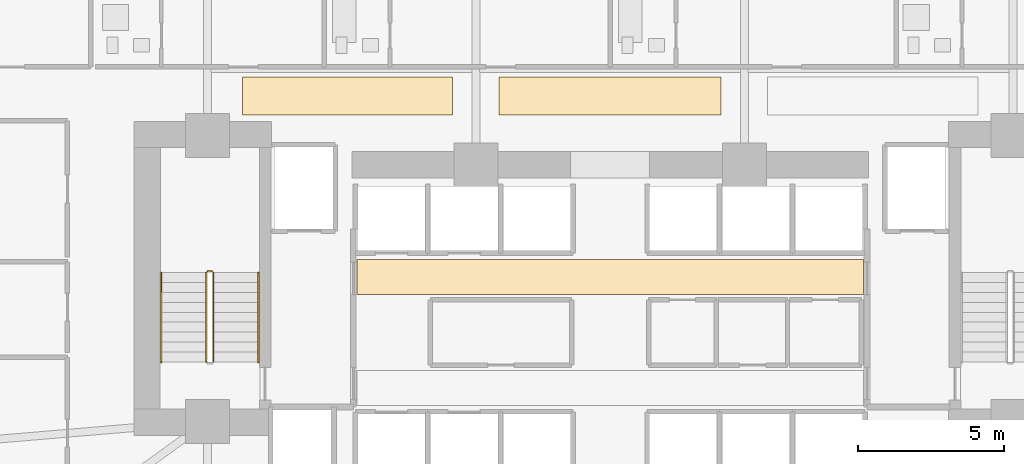
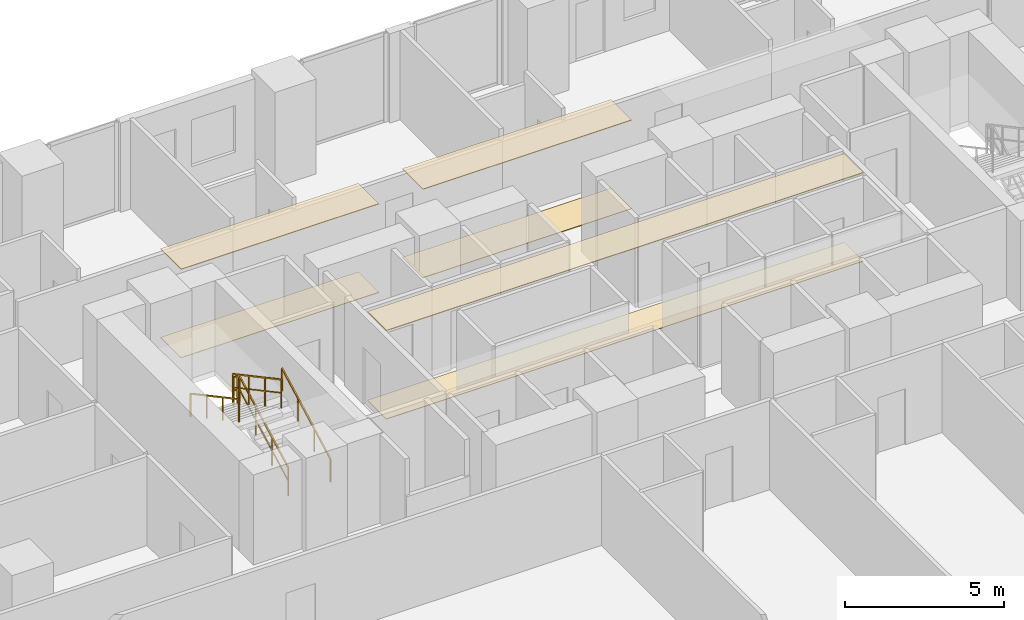
# One storey, part 27 of 30: 6 coverings, 5 railings.
"""IFC4 building model written with IfcOpenShell, lengths in metres."""

from ifc_helpers import new_model, si_unit, direction, frame, origin, origin_2d, place, context, subcontext, project, spatial, polyline, rectangle, outline, extrude, material, layer, layer_set, type_object, element, save


model = new_model("IFC4")

# Units and contexts
model_context = context("Model", 3, precision=1e-05, world=origin(), true_north=direction((0.0, 1.0)))
body_context = subcontext(model_context, "Body", "Model", "MODEL_VIEW")
ifc_project = project(units=[si_unit("LENGTHUNIT", "METRE"), si_unit("AREAUNIT", "SQUARE_METRE"), si_unit("VOLUMEUNIT", "CUBIC_METRE"), si_unit("PLANEANGLEUNIT", "RADIAN"), si_unit("MASSUNIT", "GRAM", prefix="KILO")], contexts=[model_context])

# Site, building, storey
site_placement = place(None, origin())
site = spatial("IfcSite", under=ifc_project, at=site_placement, CompositionType="ELEMENT")
building_placement = place(site_placement, origin())
building = spatial("IfcBuilding", under=site, at=building_placement, Name="Zuhayl Quay Hotel", CompositionType="ELEMENT")
storey_placement = place(building_placement, frame((0.0, 0.0, 82.35009765625)))
storey = spatial("IfcBuildingStorey", under=building, at=storey_placement, Name="L20", CompositionType="ELEMENT", Elevation=82.35009765625)

# Coverings
ifc_material_1 = material(Name="Acoustic Mineral-Fibre Gypsum Board")
ifc_layer_1 = layer(ifc_material_1, 0.02490234375, Name="Acoustic Mineral-Fibre Gypsum Board")
ifc_layer_set_1 = layer_set([ifc_layer_1], Name="Acoustic Mineral-Fibre Gypsum Board")
covering_type_1 = type_object("IfcCoveringType", Name="CV_CEIL_ACOUSTIC", PredefinedType="CEILING", material=ifc_layer_set_1)
covering_1_placement = place(storey_placement, frame((0.0, 0.0, 3.40478515625)))
element("IfcCovering", 1, at=covering_1_placement, inside=storey, type_object=covering_type_1, Name="L20 Suspended Acoustic Lobby Ceiling N", PredefinedType="CEILING", context=body_context, shape_type="SweptSolid", body=[
    extrude(outline(polyline([(-8.679931640625, 8.89990234375), (8.679931640625, 8.89990234375), (8.679931640625, 10.10009765625), (-8.679931640625, 10.10009765625), (-8.679931640625, 8.89990234375)])), origin(), (0.0, 0.0, 1.0), 0.025146484375),
])
covering_2_placement = place(storey_placement, frame((0.0, 0.0, 3.40478515625)))
element("IfcCovering", 2, at=covering_2_placement, inside=storey, type_object=covering_type_1, Name="L20 Guest Corridor Acoustic Ceiling CW", PredefinedType="CEILING", context=body_context, shape_type="SweptSolid", body=[
    extrude(outline(polyline([(-12.60009765625, 15.050048828125), (-5.39990234375, 15.050048828125), (-5.39990234375, 16.35009765625), (-12.60009765625, 16.35009765625), (-12.60009765625, 15.050048828125)])), origin(), (0.0, 0.0, 1.0), 0.025146484375),
])
covering_3_placement = place(storey_placement, frame((0.0, 0.0, 3.40478515625)))
element("IfcCovering", 3, at=covering_3_placement, inside=storey, type_object=covering_type_1, Name="L20 Guest Corridor Acoustic Ceiling CC", PredefinedType="CEILING", context=body_context, shape_type="SweptSolid", body=[
    extrude(outline(polyline([(-3.800048828125, 15.050048828125), (3.800048828125, 15.050048828125), (3.800048828125, 16.35009765625), (-3.800048828125, 16.35009765625), (-3.800048828125, 15.050048828125)])), origin(), (0.0, 0.0, 1.0), 0.025146484375),
])
ifc_material_2 = material(Name="Polished Limestone Terrazzo", Category="masonry")
ifc_layer_2 = layer(ifc_material_2, 0.02001953125, Name="Polished Limestone Terrazzo", Category="masonry")
ifc_layer_set_2 = layer_set([ifc_layer_2], Name="Polished Limestone Terrazzo")
covering_type_2 = type_object("IfcCoveringType", Name="CV_FLOOR_TERRAZZO", PredefinedType="FLOORING", material=ifc_layer_set_2)
covering_4_placement = place(storey_placement, origin())
element("IfcCovering", 4, at=covering_4_placement, inside=storey, type_object=covering_type_2, Name="L20 Honed Limestone Terrazzo Lobby Flooring N", PredefinedType="FLOORING", context=body_context, shape_type="SweptSolid", body=[
    extrude(outline(polyline([(-8.679931640625, 8.89990234375), (8.679931640625, 8.89990234375), (8.679931640625, 10.10009765625), (-8.679931640625, 10.10009765625), (-8.679931640625, 8.89990234375)])), origin(), (0.0, 0.0, 1.0), 0.02001953125),
])
covering_5_placement = place(storey_placement, origin())
element("IfcCovering", 5, at=covering_5_placement, inside=storey, type_object=covering_type_2, Name="L20 Guest Corridor Terrazzo Runner CW", PredefinedType="FLOORING", context=body_context, shape_type="SweptSolid", body=[
    extrude(outline(polyline([(-12.60009765625, 15.050048828125), (-5.39990234375, 15.050048828125), (-5.39990234375, 16.35009765625), (-12.60009765625, 16.35009765625), (-12.60009765625, 15.050048828125)])), origin(), (0.0, 0.0, 1.0), 0.02001953125),
])
covering_6_placement = place(storey_placement, origin())
element("IfcCovering", 6, at=covering_6_placement, inside=storey, type_object=covering_type_2, Name="L20 Guest Corridor Terrazzo Runner CC", PredefinedType="FLOORING", context=body_context, shape_type="SweptSolid", body=[
    extrude(outline(polyline([(-3.800048828125, 15.050048828125), (3.800048828125, 15.050048828125), (3.800048828125, 16.35009765625), (-3.800048828125, 16.35009765625), (-3.800048828125, 15.050048828125)])), origin(), (0.0, 0.0, 1.0), 0.02001953125),
])

# Railings
ifc_material_3 = material(Name="Steel ASTM A992 Grade 50", Category="steel")
railing_type_1 = type_object("IfcRailingType", Name="RL_GUARD_1100", PredefinedType="GUARDRAIL", material=ifc_material_3)
railing_1_placement = place(storey_placement, frame((-13.590087890625, 6.590087890625, 0.182373046875)))
element("IfcRailing", 7, at=railing_1_placement, inside=storey, type_object=railing_type_1, Name="L20 ST1 stair guard 1", PredefinedType="GUARDRAIL", context=body_context, shape_type="SweptSolid", body=[
    extrude(rectangle(XDim=0.048095703125, YDim=0.048095703125, at=origin_2d()), frame((0.0, 0.0, 1.09619140625), z_axis=(0.0, 0.88107310026, 0.472980117973), x_axis=(-1.0, 0.0, 0.0)), (0.0, 0.0, 1.0), 3.472900390625),
    extrude(rectangle(XDim=0.0361328125, YDim=0.0361328125, at=origin_2d()), frame((0.0, 0.0, 0.58251953125), z_axis=(0.0, 0.88107310026, 0.472980117973), x_axis=(-1.0, 0.0, 0.0)), (0.0, 0.0, 1.0), 3.472900390625),
    extrude(rectangle(XDim=0.0419921875, YDim=0.0419921875, at=origin_2d()), origin(), (0.0, 0.0, 1.0), 1.072021484375),
    extrude(rectangle(XDim=0.0419921875, YDim=0.0419921875, at=origin_2d()), frame((0.0, 1.02001953125, 0.547607421875)), (0.0, 0.0, 1.0), 1.072021484375),
    extrude(rectangle(XDim=0.0419921875, YDim=0.0419921875, at=origin_2d()), frame((0.0, 2.039794921875, 1.094970703125)), (0.0, 0.0, 1.0), 1.072021484375),
    extrude(rectangle(XDim=0.0419921875, YDim=0.0419921875, at=origin_2d()), frame((0.0, 3.059814453125, 1.642578125)), (0.0, 0.0, 1.0), 1.072021484375),
])
railing_2_placement = place(storey_placement, frame((-13.639892578125, 9.699951171875, 1.824951171875)))
element("IfcRailing", 8, at=railing_2_placement, inside=storey, type_object=railing_type_1, Name="L20 ST1 stair guard 2", PredefinedType="GUARDRAIL", context=body_context, shape_type="SweptSolid", body=[
    extrude(rectangle(XDim=0.048095703125, YDim=0.048095703125, at=origin_2d()), frame((0.0, 0.0, 1.09619140625), z_axis=(-1.0, 0.0, 0.0), x_axis=(0.0, -1.0, 0.0)), (0.0, 0.0, 1.0), 0.150146484375),
    extrude(rectangle(XDim=0.0361328125, YDim=0.0361328125, at=origin_2d()), frame((0.0, 0.0, 0.58251953125), z_axis=(-1.0, 0.0, 0.0), x_axis=(0.0, -1.0, 0.0)), (0.0, 0.0, 1.0), 0.150146484375),
    extrude(rectangle(XDim=0.0419921875, YDim=0.0419921875, at=origin_2d()), origin(), (0.0, 0.0, 1.0), 1.072021484375),
    extrude(rectangle(XDim=0.0419921875, YDim=0.0419921875, at=origin_2d()), frame((-0.150146484375, 0.0, 0.0)), (0.0, 0.0, 1.0), 1.072021484375),
])
railing_3_placement = place(storey_placement, frame((-13.840087890625, 9.64990234375, 2.00732421875)))
element("IfcRailing", 9, at=railing_3_placement, inside=storey, type_object=railing_type_1, Name="L20 ST1 stair guard 3", PredefinedType="GUARDRAIL", context=body_context, shape_type="SweptSolid", body=[
    extrude(rectangle(XDim=0.048095703125, YDim=0.048095703125, at=origin_2d()), frame((0.0, 0.0, 1.09619140625), z_axis=(0.0, -0.88107310026, 0.472980117973), x_axis=(1.0, 0.0, 0.0)), (0.0, 0.0, 1.0), 3.472900390625),
    extrude(rectangle(XDim=0.0361328125, YDim=0.0361328125, at=origin_2d()), frame((0.0, 0.0, 0.58251953125), z_axis=(0.0, -0.88107310026, 0.472980117973), x_axis=(1.0, 0.0, 0.0)), (0.0, 0.0, 1.0), 3.472900390625),
    extrude(rectangle(XDim=0.0419921875, YDim=0.0419921875, at=origin_2d()), origin(), (0.0, 0.0, 1.0), 1.072021484375),
    extrude(rectangle(XDim=0.0419921875, YDim=0.0419921875, at=origin_2d()), frame((0.0, -1.02001953125, 0.547607421875)), (0.0, 0.0, 1.0), 1.072021484375),
    extrude(rectangle(XDim=0.0419921875, YDim=0.0419921875, at=origin_2d()), frame((0.0, -2.039794921875, 1.094970703125)), (0.0, 0.0, 1.0), 1.072021484375),
    extrude(rectangle(XDim=0.0419921875, YDim=0.0419921875, at=origin_2d()), frame((0.0, -3.059814453125, 1.642578125)), (0.0, 0.0, 1.0), 1.072021484375),
])
railing_type_2 = type_object("IfcRailingType", Name="RL_HANDRAIL_920", PredefinedType="HANDRAIL", material=ifc_material_3)
railing_4_placement = place(storey_placement, frame((-12.050048828125, 6.590087890625, 0.182373046875)))
element("IfcRailing", 10, at=railing_4_placement, inside=storey, type_object=railing_type_2, Name="L20 ST1 stair handrail 1", PredefinedType="HANDRAIL", context=body_context, shape_type="SweptSolid", body=[
    extrude(rectangle(XDim=0.048095703125, YDim=0.048095703125, at=origin_2d()), frame((0.0, 0.0, 0.8759765625), z_axis=(0.0, 0.88107310026, 0.472980117973), x_axis=(-1.0, 0.0, 0.0)), (0.0, 0.0, 1.0), 3.472900390625),
    extrude(rectangle(XDim=0.0419921875, YDim=0.0419921875, at=origin_2d()), origin(), (0.0, 0.0, 1.0), 0.851806640625),
    extrude(rectangle(XDim=0.0419921875, YDim=0.0419921875, at=origin_2d()), frame((0.0, 1.02001953125, 0.547607421875)), (0.0, 0.0, 1.0), 0.851806640625),
    extrude(rectangle(XDim=0.0419921875, YDim=0.0419921875, at=origin_2d()), frame((0.0, 2.039794921875, 1.094970703125)), (0.0, 0.0, 1.0), 0.851806640625),
    extrude(rectangle(XDim=0.0419921875, YDim=0.0419921875, at=origin_2d()), frame((0.0, 3.059814453125, 1.642578125)), (0.0, 0.0, 1.0), 0.851806640625),
])
railing_5_placement = place(storey_placement, frame((-15.3798828125, 9.64990234375, 2.00732421875)))
element("IfcRailing", 11, at=railing_5_placement, inside=storey, type_object=railing_type_2, Name="L20 ST1 stair handrail 2", PredefinedType="HANDRAIL", context=body_context, shape_type="SweptSolid", body=[
    extrude(rectangle(XDim=0.048095703125, YDim=0.048095703125, at=origin_2d()), frame((0.0, 0.0, 0.8759765625), z_axis=(0.0, -0.88107310026, 0.472980117973), x_axis=(1.0, 0.0, 0.0)), (0.0, 0.0, 1.0), 3.472900390625),
    extrude(rectangle(XDim=0.0419921875, YDim=0.0419921875, at=origin_2d()), origin(), (0.0, 0.0, 1.0), 0.851806640625),
    extrude(rectangle(XDim=0.0419921875, YDim=0.0419921875, at=origin_2d()), frame((0.0, -1.02001953125, 0.547607421875)), (0.0, 0.0, 1.0), 0.851806640625),
    extrude(rectangle(XDim=0.0419921875, YDim=0.0419921875, at=origin_2d()), frame((0.0, -2.039794921875, 1.094970703125)), (0.0, 0.0, 1.0), 0.851806640625),
    extrude(rectangle(XDim=0.0419921875, YDim=0.0419921875, at=origin_2d()), frame((0.0, -3.059814453125, 1.642578125)), (0.0, 0.0, 1.0), 0.851806640625),
])

save(model, "model.ifc")
